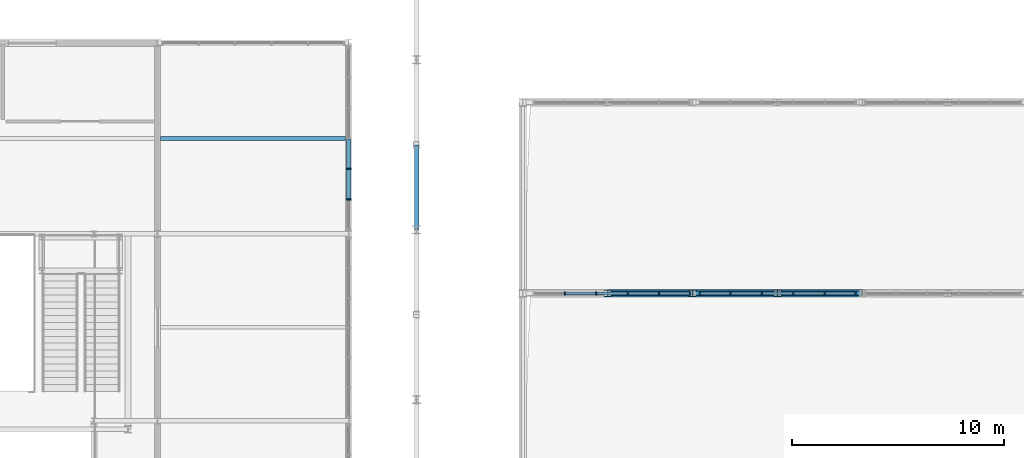
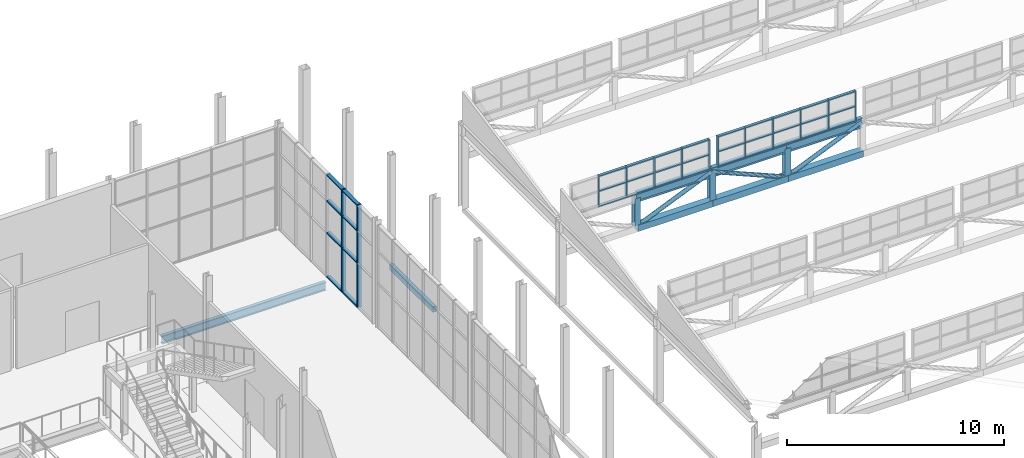
# One storey, part 83 of 159: 60 members, 2 beams, 3 elements without a shape of their own.
"""IFC4 building model written with IfcOpenShell, lengths in metres."""

from ifc_helpers import new_model, si_unit, direction, frame, origin, origin_2d, place, context, subcontext, project, spatial, rectangle, hollow_rectangle, hollow_circle, i_section, extrude, material, layer, layer_set, material_profile, profile_set, type_object, element, aggregate, save


model = new_model("IFC4")

# Units and contexts
model_context = context("Model", 3, precision=1e-05, world=origin(), true_north=direction((0.0, 1.0)))
body_context = subcontext(model_context, "Body", "Model", "MODEL_VIEW")
ifc_project = project(units=[si_unit("LENGTHUNIT", "METRE"), si_unit("AREAUNIT", "SQUARE_METRE"), si_unit("VOLUMEUNIT", "CUBIC_METRE"), si_unit("PLANEANGLEUNIT", "RADIAN"), si_unit("MASSUNIT", "GRAM", prefix="KILO")], contexts=[model_context])

# Site, building, storey
site_placement = place(None, origin())
site = spatial("IfcSite", under=ifc_project, at=site_placement, CompositionType="ELEMENT")
building_placement = place(site_placement, origin())
building = spatial("IfcBuilding", under=site, at=building_placement, Name="Cazmaro Siding Exhibition Halls", CompositionType="ELEMENT")
storey_placement = place(building_placement, frame((0.0, 0.0, 6.0)))
storey = spatial("IfcBuildingStorey", under=building, at=storey_placement, Name="L01", CompositionType="ELEMENT", Elevation=6.0)

# Curtain wall, members
ifc_material_1 = material(Name="Anodized Bronze Aluminum and Solar-Control Low-E Glazing", Category="aluminium")
ifc_layer_1 = layer(ifc_material_1, 0.219970703125)
ifc_layer_set_1 = layer_set([ifc_layer_1], Name="Anodized Bronze Aluminum and Solar-Control Low-E Glazing")
curtain_wall_type_1 = type_object("IfcCurtainWallType", Name="CWS-03", PredefinedType="USERDEFINED", material=ifc_layer_set_1)
curtain_wall_1_placement = place(storey_placement, origin())
curtain_wall_1 = element("IfcCurtainWall", 1, at=curtain_wall_1_placement, inside=storey, type_object=curtain_wall_type_1, Name="Glazed Curtain Wall CWS-03 CW-078", ObjectType="GLAZED CURTAIN WALL", PredefinedType="USERDEFINED")
ifc_material_2 = material(Name="Anodized Bronze Extruded Aluminum", Category="aluminium")
ifc_material_profile_1 = material_profile(ifc_material_2, rectangle(XDim=0.219970703125, YDim=0.070068359375, at=origin_2d()), Name="CWM-03")
ifc_profile_set_1 = profile_set([ifc_material_profile_1], Name="Anodized Bronze Extruded Aluminum")
member_type_1 = type_object("IfcMemberType", Name="CWM-03", PredefinedType="MULLION", material=ifc_profile_set_1)
member_1_placement = place(storey_placement, frame((167.800048828125, 113.431884765625, 0.0), z_axis=(0.0, 0.0, 1.0), x_axis=(-1.0, 0.0, 0.0)))
member_1 = element("IfcMember", 2, at=member_1_placement, type_object=member_type_1, Name="CWS-03 mullion 2", PredefinedType="MULLION", context=body_context, shape_type="SweptSolid", body=[
    extrude(rectangle(XDim=0.219970703125, YDim=0.070068359375, at=origin_2d()), origin(), (0.0, 0.0, 1.0), 5.780029296875),
])
member_2_placement = place(storey_placement, frame((167.800048828125, 114.865966796875, 0.0), z_axis=(0.0, 0.0, 1.0), x_axis=(-1.0, 0.0, 0.0)))
member_2 = element("IfcMember", 3, at=member_2_placement, type_object=member_type_1, Name="CWS-03 mullion 3", PredefinedType="MULLION", context=body_context, shape_type="SweptSolid", body=[
    extrude(rectangle(XDim=0.219970703125, YDim=0.070068359375, at=origin_2d()), origin(), (0.0, 0.0, 1.0), 5.780029296875),
])

ifc_material_3 = material(Name="Anodized Bronze Aluminum and Solar-Control Low-E Glazing", Category="aluminium")
ifc_layer_2 = layer(ifc_material_3, 0.159912109375)
ifc_layer_set_2 = layer_set([ifc_layer_2], Name="Anodized Bronze Aluminum and Solar-Control Low-E Glazing")
curtain_wall_type_2 = type_object("IfcCurtainWallType", Name="CWS-04", PredefinedType="USERDEFINED", material=ifc_layer_set_2)
curtain_wall_2_placement = place(storey_placement, origin())
curtain_wall_2 = element("IfcCurtainWall", 4, at=curtain_wall_2_placement, inside=storey, type_object=curtain_wall_type_2, Name="Clerestory Curtain Wall CWS-04 CW-130", ObjectType="CLERESTORY CURTAIN WALL", PredefinedType="USERDEFINED")
ifc_material_4 = material(Name="Anodized Bronze Extruded Aluminum", Category="aluminium")
ifc_material_profile_2 = material_profile(ifc_material_4, rectangle(XDim=0.159912109375, YDim=0.06005859375, at=origin_2d()), Name="CWM-04")
ifc_profile_set_2 = profile_set([ifc_material_profile_2], Name="Anodized Bronze Extruded Aluminum")
member_type_2 = type_object("IfcMemberType", Name="CWM-04", PredefinedType="MULLION", material=ifc_profile_set_2)
member_3_placement = place(storey_placement, frame((183.8701171875, 109.0, 4.800048828125), z_axis=(0.0, 0.0, 1.0), x_axis=(0.0, -1.0, 0.0)))
member_3 = element("IfcMember", 5, at=member_3_placement, type_object=member_type_2, Name="CWS-04 mullion 1", PredefinedType="MULLION", context=body_context, shape_type="SweptSolid", body=[
    extrude(rectangle(XDim=0.159912109375, YDim=0.06005859375, at=origin_2d()), origin(), (0.0, 0.0, 1.0), 1.75),
])
member_4_placement = place(storey_placement, frame((182.419921875, 109.0, 4.800048828125), z_axis=(0.0, 0.0, 1.0), x_axis=(0.0, -1.0, 0.0)))
member_4 = element("IfcMember", 6, at=member_4_placement, type_object=member_type_2, Name="CWS-04 mullion 2", PredefinedType="MULLION", context=body_context, shape_type="SweptSolid", body=[
    extrude(rectangle(XDim=0.159912109375, YDim=0.06005859375, at=origin_2d()), origin(), (0.0, 0.0, 1.0), 1.75),
])
member_5_placement = place(storey_placement, frame((180.93994140625, 109.0, 4.800048828125), z_axis=(0.0, 0.0, 1.0), x_axis=(0.0, -1.0, 0.0)))
member_5 = element("IfcMember", 7, at=member_5_placement, type_object=member_type_2, Name="CWS-04 mullion 3", PredefinedType="MULLION", context=body_context, shape_type="SweptSolid", body=[
    extrude(rectangle(XDim=0.159912109375, YDim=0.06005859375, at=origin_2d()), origin(), (0.0, 0.0, 1.0), 1.75),
])
member_6_placement = place(storey_placement, frame((179.4599609375, 109.0, 4.800048828125), z_axis=(0.0, 0.0, 1.0), x_axis=(0.0, -1.0, 0.0)))
member_6 = element("IfcMember", 8, at=member_6_placement, type_object=member_type_2, Name="CWS-04 mullion 4", PredefinedType="MULLION", context=body_context, shape_type="SweptSolid", body=[
    extrude(rectangle(XDim=0.159912109375, YDim=0.06005859375, at=origin_2d()), origin(), (0.0, 0.0, 1.0), 1.75),
])
member_7_placement = place(storey_placement, frame((177.97998046875, 109.0, 4.800048828125), z_axis=(0.0, 0.0, 1.0), x_axis=(0.0, -1.0, 0.0)))
member_7 = element("IfcMember", 9, at=member_7_placement, type_object=member_type_2, Name="CWS-04 mullion 5", PredefinedType="MULLION", context=body_context, shape_type="SweptSolid", body=[
    extrude(rectangle(XDim=0.159912109375, YDim=0.06005859375, at=origin_2d()), origin(), (0.0, 0.0, 1.0), 1.75),
])

curtain_wall_3_placement = place(storey_placement, origin())
curtain_wall_3 = element("IfcCurtainWall", 10, at=curtain_wall_3_placement, inside=storey, type_object=curtain_wall_type_2, Name="Clerestory Curtain Wall CWS-04 CW-131", ObjectType="CLERESTORY CURTAIN WALL", PredefinedType="USERDEFINED")
member_8_placement = place(storey_placement, frame((191.669921875, 109.0, 4.800048828125), z_axis=(0.0, 0.0, 1.0), x_axis=(0.0, -1.0, 0.0)))
member_8 = element("IfcMember", 11, at=member_8_placement, type_object=member_type_2, Name="CWS-04 mullion 1", PredefinedType="MULLION", context=body_context, shape_type="SweptSolid", body=[
    extrude(rectangle(XDim=0.159912109375, YDim=0.06005859375, at=origin_2d()), origin(), (0.0, 0.0, 1.0), 1.75),
])
member_9_placement = place(storey_placement, frame((190.219970703125, 109.0, 4.800048828125), z_axis=(0.0, 0.0, 1.0), x_axis=(0.0, -1.0, 0.0)))
member_9 = element("IfcMember", 12, at=member_9_placement, type_object=member_type_2, Name="CWS-04 mullion 2", PredefinedType="MULLION", context=body_context, shape_type="SweptSolid", body=[
    extrude(rectangle(XDim=0.159912109375, YDim=0.06005859375, at=origin_2d()), origin(), (0.0, 0.0, 1.0), 1.75),
])
member_10_placement = place(storey_placement, frame((188.739990234375, 109.0, 4.800048828125), z_axis=(0.0, 0.0, 1.0), x_axis=(0.0, -1.0, 0.0)))
member_10 = element("IfcMember", 13, at=member_10_placement, type_object=member_type_2, Name="CWS-04 mullion 3", PredefinedType="MULLION", context=body_context, shape_type="SweptSolid", body=[
    extrude(rectangle(XDim=0.159912109375, YDim=0.06005859375, at=origin_2d()), origin(), (0.0, 0.0, 1.0), 1.75),
])
member_11_placement = place(storey_placement, frame((187.260009765625, 109.0, 4.800048828125), z_axis=(0.0, 0.0, 1.0), x_axis=(0.0, -1.0, 0.0)))
member_11 = element("IfcMember", 14, at=member_11_placement, type_object=member_type_2, Name="CWS-04 mullion 4", PredefinedType="MULLION", context=body_context, shape_type="SweptSolid", body=[
    extrude(rectangle(XDim=0.159912109375, YDim=0.06005859375, at=origin_2d()), origin(), (0.0, 0.0, 1.0), 1.75),
])
member_12_placement = place(storey_placement, frame((185.780029296875, 109.0, 4.800048828125), z_axis=(0.0, 0.0, 1.0), x_axis=(0.0, -1.0, 0.0)))
member_12 = element("IfcMember", 15, at=member_12_placement, type_object=member_type_2, Name="CWS-04 mullion 5", PredefinedType="MULLION", context=body_context, shape_type="SweptSolid", body=[
    extrude(rectangle(XDim=0.159912109375, YDim=0.06005859375, at=origin_2d()), origin(), (0.0, 0.0, 1.0), 1.75),
])
member_13_placement = place(storey_placement, frame((184.330078125, 109.0, 4.800048828125), z_axis=(0.0, 0.0, 1.0), x_axis=(0.0, -1.0, 0.0)))
member_13 = element("IfcMember", 16, at=member_13_placement, type_object=member_type_2, Name="CWS-04 mullion 6", PredefinedType="MULLION", context=body_context, shape_type="SweptSolid", body=[
    extrude(rectangle(XDim=0.159912109375, YDim=0.06005859375, at=origin_2d()), origin(), (0.0, 0.0, 1.0), 1.75),
])

# Member
ifc_material_5 = material(Name="Anodized Bronze Extruded Aluminum", Category="aluminium")
ifc_material_profile_3 = material_profile(ifc_material_5, rectangle(XDim=0.199951171875, YDim=0.070068359375, at=origin_2d()), Name="CWT-03")
ifc_profile_set_3 = profile_set([ifc_material_profile_3], Name="Anodized Bronze Extruded Aluminum")
member_type_3 = type_object("IfcMemberType", Name="CWT-03", PredefinedType="MULLION", material=ifc_profile_set_3)
member_14_placement = place(storey_placement, frame((167.800048828125, 113.467041015625, 0.034912109375), z_axis=(0.0, 1.0, 0.0), x_axis=(-1.0, 0.0, 0.0)))
member_14 = element("IfcMember", 17, at=member_14_placement, type_object=member_type_3, Name="CWS-03 transom 2.1", ObjectType="TRANSOM", PredefinedType="USERDEFINED", context=body_context, shape_type="SweptSolid", body=[
    extrude(rectangle(XDim=0.199951171875, YDim=0.070068359375, at=origin_2d()), origin(), (0.0, 0.0, 1.0), 1.364013671875),
])

member_15_placement = place(storey_placement, frame((167.800048828125, 113.467041015625, 2.5), z_axis=(0.0, 1.0, 0.0), x_axis=(-1.0, 0.0, 0.0)))
member_15 = element("IfcMember", 18, at=member_15_placement, type_object=member_type_3, Name="CWS-03 transom 2.2", ObjectType="TRANSOM", PredefinedType="USERDEFINED", context=body_context, shape_type="SweptSolid", body=[
    extrude(rectangle(XDim=0.199951171875, YDim=0.070068359375, at=origin_2d()), origin(), (0.0, 0.0, 1.0), 1.364013671875),
])

member_16_placement = place(storey_placement, frame((167.800048828125, 113.467041015625, 4.300048828125), z_axis=(0.0, 1.0, 0.0), x_axis=(-1.0, 0.0, 0.0)))
member_16 = element("IfcMember", 19, at=member_16_placement, type_object=member_type_3, Name="CWS-03 transom 2.3", ObjectType="TRANSOM", PredefinedType="USERDEFINED", context=body_context, shape_type="SweptSolid", body=[
    extrude(rectangle(XDim=0.199951171875, YDim=0.070068359375, at=origin_2d()), origin(), (0.0, 0.0, 1.0), 1.364013671875),
])

member_17_placement = place(storey_placement, frame((167.800048828125, 113.467041015625, 5.7451171875), z_axis=(0.0, 1.0, 0.0), x_axis=(-1.0, 0.0, 0.0)))
member_17 = element("IfcMember", 20, at=member_17_placement, type_object=member_type_3, Name="CWS-03 transom 2.4", ObjectType="TRANSOM", PredefinedType="USERDEFINED", context=body_context, shape_type="SweptSolid", body=[
    extrude(rectangle(XDim=0.199951171875, YDim=0.070068359375, at=origin_2d()), origin(), (0.0, 0.0, 1.0), 1.364013671875),
])

member_18_placement = place(storey_placement, frame((167.800048828125, 114.90087890625, 0.034912109375), z_axis=(0.0, 1.0, 0.0), x_axis=(-1.0, 0.0, 0.0)))
member_18 = element("IfcMember", 21, at=member_18_placement, type_object=member_type_3, Name="CWS-03 transom 3.1", ObjectType="TRANSOM", PredefinedType="USERDEFINED", context=body_context, shape_type="SweptSolid", body=[
    extrude(rectangle(XDim=0.199951171875, YDim=0.070068359375, at=origin_2d()), origin(), (0.0, 0.0, 1.0), 1.364013671875),
])

member_19_placement = place(storey_placement, frame((167.800048828125, 114.90087890625, 2.5), z_axis=(0.0, 1.0, 0.0), x_axis=(-1.0, 0.0, 0.0)))
member_19 = element("IfcMember", 22, at=member_19_placement, type_object=member_type_3, Name="CWS-03 transom 3.2", ObjectType="TRANSOM", PredefinedType="USERDEFINED", context=body_context, shape_type="SweptSolid", body=[
    extrude(rectangle(XDim=0.199951171875, YDim=0.070068359375, at=origin_2d()), origin(), (0.0, 0.0, 1.0), 1.364013671875),
])

member_20_placement = place(storey_placement, frame((167.800048828125, 114.90087890625, 4.300048828125), z_axis=(0.0, 1.0, 0.0), x_axis=(-1.0, 0.0, 0.0)))
member_20 = element("IfcMember", 23, at=member_20_placement, type_object=member_type_3, Name="CWS-03 transom 3.3", ObjectType="TRANSOM", PredefinedType="USERDEFINED", context=body_context, shape_type="SweptSolid", body=[
    extrude(rectangle(XDim=0.199951171875, YDim=0.070068359375, at=origin_2d()), origin(), (0.0, 0.0, 1.0), 1.364013671875),
])

member_21_placement = place(storey_placement, frame((167.800048828125, 114.90087890625, 5.7451171875), z_axis=(0.0, 1.0, 0.0), x_axis=(-1.0, 0.0, 0.0)))
member_21 = element("IfcMember", 24, at=member_21_placement, type_object=member_type_3, Name="CWS-03 transom 3.4", ObjectType="TRANSOM", PredefinedType="USERDEFINED", context=body_context, shape_type="SweptSolid", body=[
    extrude(rectangle(XDim=0.199951171875, YDim=0.070068359375, at=origin_2d()), origin(), (0.0, 0.0, 1.0), 1.364013671875),
])

aggregate(curtain_wall_1, [member_1, member_2, member_14, member_15, member_16, member_17, member_18, member_19, member_20, member_21])

ifc_material_6 = material(Name="Anodized Bronze Extruded Aluminum", Category="aluminium")
ifc_material_profile_4 = material_profile(ifc_material_6, rectangle(XDim=0.139892578125, YDim=0.06005859375, at=origin_2d()), Name="CWT-04")
ifc_profile_set_4 = profile_set([ifc_material_profile_4], Name="Anodized Bronze Extruded Aluminum")
member_type_4 = type_object("IfcMemberType", Name="CWT-04", PredefinedType="MULLION", material=ifc_profile_set_4)
member_22_placement = place(storey_placement, frame((183.840087890625, 109.0, 4.830078125), z_axis=(-1.0, 0.0, 0.0), x_axis=(0.0, -1.0, 0.0)))
member_22 = element("IfcMember", 25, at=member_22_placement, type_object=member_type_4, Name="CWS-04 transom 1.1", ObjectType="TRANSOM", PredefinedType="USERDEFINED", context=body_context, shape_type="SweptSolid", body=[
    extrude(rectangle(XDim=0.139892578125, YDim=0.06005859375, at=origin_2d()), origin(), (0.0, 0.0, 1.0), 1.39013671875),
])

member_23_placement = place(storey_placement, frame((183.840087890625, 109.0, 5.679931640625), z_axis=(-1.0, 0.0, 0.0), x_axis=(0.0, -1.0, 0.0)))
member_23 = element("IfcMember", 26, at=member_23_placement, type_object=member_type_4, Name="CWS-04 transom 1.2", ObjectType="TRANSOM", PredefinedType="USERDEFINED", context=body_context, shape_type="SweptSolid", body=[
    extrude(rectangle(XDim=0.139892578125, YDim=0.06005859375, at=origin_2d()), origin(), (0.0, 0.0, 1.0), 1.39013671875),
])

member_24_placement = place(storey_placement, frame((183.840087890625, 109.0, 6.52001953125), z_axis=(-1.0, 0.0, 0.0), x_axis=(0.0, -1.0, 0.0)))
member_24 = element("IfcMember", 27, at=member_24_placement, type_object=member_type_4, Name="CWS-04 transom 1.3", ObjectType="TRANSOM", PredefinedType="USERDEFINED", context=body_context, shape_type="SweptSolid", body=[
    extrude(rectangle(XDim=0.139892578125, YDim=0.06005859375, at=origin_2d()), origin(), (0.0, 0.0, 1.0), 1.39013671875),
])

member_25_placement = place(storey_placement, frame((182.389892578125, 109.0, 4.830078125), z_axis=(-1.0, 0.0, 0.0), x_axis=(0.0, -1.0, 0.0)))
member_25 = element("IfcMember", 28, at=member_25_placement, type_object=member_type_4, Name="CWS-04 transom 2.1", ObjectType="TRANSOM", PredefinedType="USERDEFINED", context=body_context, shape_type="SweptSolid", body=[
    extrude(rectangle(XDim=0.139892578125, YDim=0.06005859375, at=origin_2d()), origin(), (0.0, 0.0, 1.0), 1.419921875),
])

member_26_placement = place(storey_placement, frame((182.389892578125, 109.0, 5.679931640625), z_axis=(-1.0, 0.0, 0.0), x_axis=(0.0, -1.0, 0.0)))
member_26 = element("IfcMember", 29, at=member_26_placement, type_object=member_type_4, Name="CWS-04 transom 2.2", ObjectType="TRANSOM", PredefinedType="USERDEFINED", context=body_context, shape_type="SweptSolid", body=[
    extrude(rectangle(XDim=0.139892578125, YDim=0.06005859375, at=origin_2d()), origin(), (0.0, 0.0, 1.0), 1.419921875),
])

member_27_placement = place(storey_placement, frame((182.389892578125, 109.0, 6.52001953125), z_axis=(-1.0, 0.0, 0.0), x_axis=(0.0, -1.0, 0.0)))
member_27 = element("IfcMember", 30, at=member_27_placement, type_object=member_type_4, Name="CWS-04 transom 2.3", ObjectType="TRANSOM", PredefinedType="USERDEFINED", context=body_context, shape_type="SweptSolid", body=[
    extrude(rectangle(XDim=0.139892578125, YDim=0.06005859375, at=origin_2d()), origin(), (0.0, 0.0, 1.0), 1.419921875),
])

member_28_placement = place(storey_placement, frame((180.909912109375, 109.0, 4.830078125), z_axis=(-1.0, 0.0, 0.0), x_axis=(0.0, -1.0, 0.0)))
member_28 = element("IfcMember", 31, at=member_28_placement, type_object=member_type_4, Name="CWS-04 transom 3.1", ObjectType="TRANSOM", PredefinedType="USERDEFINED", context=body_context, shape_type="SweptSolid", body=[
    extrude(rectangle(XDim=0.139892578125, YDim=0.06005859375, at=origin_2d()), origin(), (0.0, 0.0, 1.0), 1.419921875),
])

member_29_placement = place(storey_placement, frame((180.909912109375, 109.0, 5.679931640625), z_axis=(-1.0, 0.0, 0.0), x_axis=(0.0, -1.0, 0.0)))
member_29 = element("IfcMember", 32, at=member_29_placement, type_object=member_type_4, Name="CWS-04 transom 3.2", ObjectType="TRANSOM", PredefinedType="USERDEFINED", context=body_context, shape_type="SweptSolid", body=[
    extrude(rectangle(XDim=0.139892578125, YDim=0.06005859375, at=origin_2d()), origin(), (0.0, 0.0, 1.0), 1.419921875),
])

member_30_placement = place(storey_placement, frame((180.909912109375, 109.0, 6.52001953125), z_axis=(-1.0, 0.0, 0.0), x_axis=(0.0, -1.0, 0.0)))
member_30 = element("IfcMember", 33, at=member_30_placement, type_object=member_type_4, Name="CWS-04 transom 3.3", ObjectType="TRANSOM", PredefinedType="USERDEFINED", context=body_context, shape_type="SweptSolid", body=[
    extrude(rectangle(XDim=0.139892578125, YDim=0.06005859375, at=origin_2d()), origin(), (0.0, 0.0, 1.0), 1.419921875),
])

member_31_placement = place(storey_placement, frame((179.429931640625, 109.0, 4.830078125), z_axis=(-1.0, 0.0, 0.0), x_axis=(0.0, -1.0, 0.0)))
member_31 = element("IfcMember", 34, at=member_31_placement, type_object=member_type_4, Name="CWS-04 transom 4.1", ObjectType="TRANSOM", PredefinedType="USERDEFINED", context=body_context, shape_type="SweptSolid", body=[
    extrude(rectangle(XDim=0.139892578125, YDim=0.06005859375, at=origin_2d()), origin(), (0.0, 0.0, 1.0), 1.419921875),
])

member_32_placement = place(storey_placement, frame((179.429931640625, 109.0, 5.679931640625), z_axis=(-1.0, 0.0, 0.0), x_axis=(0.0, -1.0, 0.0)))
member_32 = element("IfcMember", 35, at=member_32_placement, type_object=member_type_4, Name="CWS-04 transom 4.2", ObjectType="TRANSOM", PredefinedType="USERDEFINED", context=body_context, shape_type="SweptSolid", body=[
    extrude(rectangle(XDim=0.139892578125, YDim=0.06005859375, at=origin_2d()), origin(), (0.0, 0.0, 1.0), 1.419921875),
])

member_33_placement = place(storey_placement, frame((179.429931640625, 109.0, 6.52001953125), z_axis=(-1.0, 0.0, 0.0), x_axis=(0.0, -1.0, 0.0)))
member_33 = element("IfcMember", 36, at=member_33_placement, type_object=member_type_4, Name="CWS-04 transom 4.3", ObjectType="TRANSOM", PredefinedType="USERDEFINED", context=body_context, shape_type="SweptSolid", body=[
    extrude(rectangle(XDim=0.139892578125, YDim=0.06005859375, at=origin_2d()), origin(), (0.0, 0.0, 1.0), 1.419921875),
])

aggregate(curtain_wall_2, [member_3, member_4, member_5, member_6, member_7, member_22, member_23, member_24, member_25, member_26, member_27, member_28, member_29, member_30, member_31, member_32, member_33])

member_34_placement = place(storey_placement, frame((191.639892578125, 109.0, 4.830078125), z_axis=(-1.0, 0.0, 0.0), x_axis=(0.0, -1.0, 0.0)))
member_34 = element("IfcMember", 37, at=member_34_placement, type_object=member_type_4, Name="CWS-04 transom 1.1", ObjectType="TRANSOM", PredefinedType="USERDEFINED", context=body_context, shape_type="SweptSolid", body=[
    extrude(rectangle(XDim=0.139892578125, YDim=0.06005859375, at=origin_2d()), origin(), (0.0, 0.0, 1.0), 1.389892578125),
])

member_35_placement = place(storey_placement, frame((191.639892578125, 109.0, 5.679931640625), z_axis=(-1.0, 0.0, 0.0), x_axis=(0.0, -1.0, 0.0)))
member_35 = element("IfcMember", 38, at=member_35_placement, type_object=member_type_4, Name="CWS-04 transom 1.2", ObjectType="TRANSOM", PredefinedType="USERDEFINED", context=body_context, shape_type="SweptSolid", body=[
    extrude(rectangle(XDim=0.139892578125, YDim=0.06005859375, at=origin_2d()), origin(), (0.0, 0.0, 1.0), 1.389892578125),
])

member_36_placement = place(storey_placement, frame((191.639892578125, 109.0, 6.52001953125), z_axis=(-1.0, 0.0, 0.0), x_axis=(0.0, -1.0, 0.0)))
member_36 = element("IfcMember", 39, at=member_36_placement, type_object=member_type_4, Name="CWS-04 transom 1.3", ObjectType="TRANSOM", PredefinedType="USERDEFINED", context=body_context, shape_type="SweptSolid", body=[
    extrude(rectangle(XDim=0.139892578125, YDim=0.06005859375, at=origin_2d()), origin(), (0.0, 0.0, 1.0), 1.389892578125),
])

member_37_placement = place(storey_placement, frame((190.18994140625, 109.0, 4.830078125), z_axis=(-1.0, 0.0, 0.0), x_axis=(0.0, -1.0, 0.0)))
member_37 = element("IfcMember", 40, at=member_37_placement, type_object=member_type_4, Name="CWS-04 transom 2.1", ObjectType="TRANSOM", PredefinedType="USERDEFINED", context=body_context, shape_type="SweptSolid", body=[
    extrude(rectangle(XDim=0.139892578125, YDim=0.06005859375, at=origin_2d()), origin(), (0.0, 0.0, 1.0), 1.419921875),
])

member_38_placement = place(storey_placement, frame((190.18994140625, 109.0, 5.679931640625), z_axis=(-1.0, 0.0, 0.0), x_axis=(0.0, -1.0, 0.0)))
member_38 = element("IfcMember", 41, at=member_38_placement, type_object=member_type_4, Name="CWS-04 transom 2.2", ObjectType="TRANSOM", PredefinedType="USERDEFINED", context=body_context, shape_type="SweptSolid", body=[
    extrude(rectangle(XDim=0.139892578125, YDim=0.06005859375, at=origin_2d()), origin(), (0.0, 0.0, 1.0), 1.419921875),
])

member_39_placement = place(storey_placement, frame((190.18994140625, 109.0, 6.52001953125), z_axis=(-1.0, 0.0, 0.0), x_axis=(0.0, -1.0, 0.0)))
member_39 = element("IfcMember", 42, at=member_39_placement, type_object=member_type_4, Name="CWS-04 transom 2.3", ObjectType="TRANSOM", PredefinedType="USERDEFINED", context=body_context, shape_type="SweptSolid", body=[
    extrude(rectangle(XDim=0.139892578125, YDim=0.06005859375, at=origin_2d()), origin(), (0.0, 0.0, 1.0), 1.419921875),
])

member_40_placement = place(storey_placement, frame((188.7099609375, 109.0, 4.830078125), z_axis=(-1.0, 0.0, 0.0), x_axis=(0.0, -1.0, 0.0)))
member_40 = element("IfcMember", 43, at=member_40_placement, type_object=member_type_4, Name="CWS-04 transom 3.1", ObjectType="TRANSOM", PredefinedType="USERDEFINED", context=body_context, shape_type="SweptSolid", body=[
    extrude(rectangle(XDim=0.139892578125, YDim=0.06005859375, at=origin_2d()), origin(), (0.0, 0.0, 1.0), 1.419921875),
])

member_41_placement = place(storey_placement, frame((188.7099609375, 109.0, 5.679931640625), z_axis=(-1.0, 0.0, 0.0), x_axis=(0.0, -1.0, 0.0)))
member_41 = element("IfcMember", 44, at=member_41_placement, type_object=member_type_4, Name="CWS-04 transom 3.2", ObjectType="TRANSOM", PredefinedType="USERDEFINED", context=body_context, shape_type="SweptSolid", body=[
    extrude(rectangle(XDim=0.139892578125, YDim=0.06005859375, at=origin_2d()), origin(), (0.0, 0.0, 1.0), 1.419921875),
])

member_42_placement = place(storey_placement, frame((188.7099609375, 109.0, 6.52001953125), z_axis=(-1.0, 0.0, 0.0), x_axis=(0.0, -1.0, 0.0)))
member_42 = element("IfcMember", 45, at=member_42_placement, type_object=member_type_4, Name="CWS-04 transom 3.3", ObjectType="TRANSOM", PredefinedType="USERDEFINED", context=body_context, shape_type="SweptSolid", body=[
    extrude(rectangle(XDim=0.139892578125, YDim=0.06005859375, at=origin_2d()), origin(), (0.0, 0.0, 1.0), 1.419921875),
])

member_43_placement = place(storey_placement, frame((187.22998046875, 109.0, 4.830078125), z_axis=(-1.0, 0.0, 0.0), x_axis=(0.0, -1.0, 0.0)))
member_43 = element("IfcMember", 46, at=member_43_placement, type_object=member_type_4, Name="CWS-04 transom 4.1", ObjectType="TRANSOM", PredefinedType="USERDEFINED", context=body_context, shape_type="SweptSolid", body=[
    extrude(rectangle(XDim=0.139892578125, YDim=0.06005859375, at=origin_2d()), origin(), (0.0, 0.0, 1.0), 1.419921875),
])

member_44_placement = place(storey_placement, frame((187.22998046875, 109.0, 5.679931640625), z_axis=(-1.0, 0.0, 0.0), x_axis=(0.0, -1.0, 0.0)))
member_44 = element("IfcMember", 47, at=member_44_placement, type_object=member_type_4, Name="CWS-04 transom 4.2", ObjectType="TRANSOM", PredefinedType="USERDEFINED", context=body_context, shape_type="SweptSolid", body=[
    extrude(rectangle(XDim=0.139892578125, YDim=0.06005859375, at=origin_2d()), origin(), (0.0, 0.0, 1.0), 1.419921875),
])

member_45_placement = place(storey_placement, frame((187.22998046875, 109.0, 6.52001953125), z_axis=(-1.0, 0.0, 0.0), x_axis=(0.0, -1.0, 0.0)))
member_45 = element("IfcMember", 48, at=member_45_placement, type_object=member_type_4, Name="CWS-04 transom 4.3", ObjectType="TRANSOM", PredefinedType="USERDEFINED", context=body_context, shape_type="SweptSolid", body=[
    extrude(rectangle(XDim=0.139892578125, YDim=0.06005859375, at=origin_2d()), origin(), (0.0, 0.0, 1.0), 1.419921875),
])

member_46_placement = place(storey_placement, frame((185.75, 109.0, 4.830078125), z_axis=(-1.0, 0.0, 0.0), x_axis=(0.0, -1.0, 0.0)))
member_46 = element("IfcMember", 49, at=member_46_placement, type_object=member_type_4, Name="CWS-04 transom 5.1", ObjectType="TRANSOM", PredefinedType="USERDEFINED", context=body_context, shape_type="SweptSolid", body=[
    extrude(rectangle(XDim=0.139892578125, YDim=0.06005859375, at=origin_2d()), origin(), (0.0, 0.0, 1.0), 1.389892578125),
])

member_47_placement = place(storey_placement, frame((185.75, 109.0, 5.679931640625), z_axis=(-1.0, 0.0, 0.0), x_axis=(0.0, -1.0, 0.0)))
member_47 = element("IfcMember", 50, at=member_47_placement, type_object=member_type_4, Name="CWS-04 transom 5.2", ObjectType="TRANSOM", PredefinedType="USERDEFINED", context=body_context, shape_type="SweptSolid", body=[
    extrude(rectangle(XDim=0.139892578125, YDim=0.06005859375, at=origin_2d()), origin(), (0.0, 0.0, 1.0), 1.389892578125),
])

member_48_placement = place(storey_placement, frame((185.75, 109.0, 6.52001953125), z_axis=(-1.0, 0.0, 0.0), x_axis=(0.0, -1.0, 0.0)))
member_48 = element("IfcMember", 51, at=member_48_placement, type_object=member_type_4, Name="CWS-04 transom 5.3", ObjectType="TRANSOM", PredefinedType="USERDEFINED", context=body_context, shape_type="SweptSolid", body=[
    extrude(rectangle(XDim=0.139892578125, YDim=0.06005859375, at=origin_2d()), origin(), (0.0, 0.0, 1.0), 1.389892578125),
])

aggregate(curtain_wall_3, [member_8, member_9, member_10, member_11, member_12, member_13, member_34, member_35, member_36, member_37, member_38, member_39, member_40, member_41, member_42, member_43, member_44, member_45, member_46, member_47, member_48])

# Beams
ifc_material_7 = material(Name="Steel ASTM A992 Grade 50", Category="steel")
ifc_material_profile_5 = material_profile(ifc_material_7, i_section(OverallWidth=0.19091796875, OverallDepth=0.45703125, WebThickness=0.009033203125, FlangeThickness=0.013916015625, at=origin_2d()), Name="W18X50")
ifc_profile_set_5 = profile_set([ifc_material_profile_5], Name="Steel ASTM A992 Grade 50")
beam_type_1 = type_object("IfcBeamType", Name="J-01", PredefinedType="JOIST", material=ifc_profile_set_5)
beam_1_placement = place(storey_placement, frame((158.93994140625, 116.300048828125, -0.448974609375), z_axis=(1.0, 0.0, 0.0), x_axis=(0.0, 1.0, 0.0)))
element("IfcBeam", 52, at=beam_1_placement, inside=storey, type_object=beam_type_1, Name="Beam J-01 BM-0299", PredefinedType="JOIST", context=body_context, shape_type="SweptSolid", body=[
    extrude(i_section(OverallWidth=0.19091796875, OverallDepth=0.45703125, WebThickness=0.009033203125, FlangeThickness=0.013916015625, at=origin_2d()), origin(), (0.0, 0.0, 1.0), 8.719970703125),
])
ifc_material_8 = material(Name="Steel ASTM A500 Grade C", Category="steel")
ifc_material_profile_6 = material_profile(ifc_material_8, hollow_rectangle(XDim=0.202880859375, YDim=0.304931640625, WallThickness=0.011962890625, at=origin_2d()), Name="HSS12X8X1/2")
ifc_profile_set_6 = profile_set([ifc_material_profile_6], Name="Steel ASTM A500 Grade C")
beam_type_2 = type_object("IfcBeamType", Name="SP-01", PredefinedType="SPANDREL", material=ifc_profile_set_6)
beam_2_placement = place(storey_placement, frame((171.0, 112.0, -0.3720703125), z_axis=(0.0, 1.0, 0.0), x_axis=(-1.0, 0.0, 0.0)))
element("IfcBeam", 53, at=beam_2_placement, inside=storey, type_object=beam_type_2, Name="Beam SP-01 BM-0055", PredefinedType="SPANDREL", context=body_context, shape_type="SweptSolid", body=[
    extrude(hollow_rectangle(XDim=0.202880859375, YDim=0.304931640625, WallThickness=0.011962890625, at=origin_2d()), origin(), (0.0, 0.0, 1.0), 4.0),
])

# Members
ifc_material_9 = material(Name="Steel ASTM A992 Grade 50", Category="steel")
ifc_material_profile_7 = material_profile(ifc_material_9, i_section(OverallWidth=0.214111328125, OverallDepth=0.549072265625, WebThickness=0.014892578125, FlangeThickness=0.02392578125, at=origin_2d()), Name="W21X93")
ifc_profile_set_7 = profile_set([ifc_material_profile_7], Name="Steel ASTM A992 Grade 50")
member_type_5 = type_object("IfcMemberType", Name="TC-04", PredefinedType="CHORD", material=ifc_profile_set_7)
for number, where, z_axis, x_axis, name in (
    (54, (180.0, 109.0, 4.64990234375), (1.0, 0.0, 0.0), (0.0, 1.0, 0.0), "Sawtooth truss top chord TC-04 MEM-3169"),
    (55, (184.0, 109.0, 4.64990234375), (1.0, 0.0, 0.0), (0.0, 1.0, 0.0), "Sawtooth truss top chord TC-04 MEM-3172"),
    (56, (188.0, 109.0, 4.64990234375), (1.0, 0.0, 0.0), (0.0, 1.0, 0.0), "Sawtooth truss top chord TC-04 MEM-3175"),
):
    element("IfcMember", number, at=place(storey_placement, frame(where, z_axis=z_axis, x_axis=x_axis)), inside=storey, type_object=member_type_5, Name=name, PredefinedType="CHORD", context=body_context, shape_type="SweptSolid", body=[
        extrude(i_section(OverallWidth=0.214111328125, OverallDepth=0.549072265625, WebThickness=0.014892578125, FlangeThickness=0.02392578125, at=origin_2d()), origin(), (0.0, 0.0, 1.0), 4.0),
    ])
ifc_material_10 = material(Name="Steel ASTM A500 Grade C", Category="steel")
ifc_material_profile_8 = material_profile(ifc_material_10, hollow_rectangle(XDim=0.35595703125, YDim=0.35595703125, WallThickness=0.014892578125, at=origin_2d()), Name="HSS14X14X5/8")
ifc_profile_set_8 = profile_set([ifc_material_profile_8], Name="Steel ASTM A500 Grade C")
member_type_6 = type_object("IfcMemberType", Name="TC-05", PredefinedType="CHORD", material=ifc_profile_set_8)
for number, where, z_axis, x_axis, name in (
    (57, (180.0, 109.0, 2.949951171875), (1.0, 0.0, 0.0), (0.0, 1.0, 0.0), "Sawtooth truss bottom chord TC-05 MEM-3170"),
    (58, (184.0, 109.0, 2.949951171875), (1.0, 0.0, 0.0), (0.0, 1.0, 0.0), "Sawtooth truss bottom chord TC-05 MEM-3173"),
    (59, (188.0, 109.0, 2.949951171875), (1.0, 0.0, 0.0), (0.0, 1.0, 0.0), "Sawtooth truss bottom chord TC-05 MEM-3176"),
):
    element("IfcMember", number, at=place(storey_placement, frame(where, z_axis=z_axis, x_axis=x_axis)), inside=storey, type_object=member_type_6, Name=name, PredefinedType="CHORD", context=body_context, shape_type="SweptSolid", body=[
        extrude(hollow_rectangle(XDim=0.35595703125, YDim=0.35595703125, WallThickness=0.014892578125, at=origin_2d()), origin(), (0.0, 0.0, 1.0), 4.0),
    ])
ifc_material_11 = material(Name="Steel ASTM A992 Grade 50", Category="steel")
ifc_material_profile_9 = material_profile(ifc_material_11, i_section(OverallWidth=0.304931640625, OverallDepth=0.306884765625, WebThickness=0.010009765625, FlangeThickness=0.014892578125, at=origin_2d()), Name="W12X65")
ifc_profile_set_9 = profile_set([ifc_material_profile_9], Name="Steel ASTM A992 Grade 50")
member_type_7 = type_object("IfcMemberType", Name="TP-03", PredefinedType="POST", material=ifc_profile_set_9)
for number, where, z_axis, x_axis, name in (
    (60, (180.0, 109.0, 2.949951171875), (0.0, 0.0, 1.0), (1.0, 0.0, 0.0), "Sawtooth truss post TP-03 MEM-3196"),
    (61, (184.0, 109.0, 2.949951171875), (0.0, 0.0, 1.0), (1.0, 0.0, 0.0), "Sawtooth truss post TP-03 MEM-3197"),
    (62, (188.0, 109.0, 2.949951171875), (0.0, 0.0, 1.0), (1.0, 0.0, 0.0), "Sawtooth truss post TP-03 MEM-3198"),
):
    element("IfcMember", number, at=place(storey_placement, frame(where, z_axis=z_axis, x_axis=x_axis)), inside=storey, type_object=member_type_7, Name=name, PredefinedType="POST", context=body_context, shape_type="SweptSolid", body=[
        extrude(i_section(OverallWidth=0.304931640625, OverallDepth=0.306884765625, WebThickness=0.010009765625, FlangeThickness=0.014892578125, at=origin_2d()), origin(), (0.0, 0.0, 1.0), 1.699951171875),
    ])
ifc_material_12 = material(Name="Steel ASTM A500 Grade C", Category="steel")
ifc_material_profile_10 = material_profile(ifc_material_12, hollow_circle(Radius=0.109619140625, WallThickness=0.012939453125, at=origin_2d()), Name="PIPE8XS")
ifc_profile_set_10 = profile_set([ifc_material_profile_10], Name="Steel ASTM A500 Grade C")
member_type_8 = type_object("IfcMemberType", Name="WB-01", PredefinedType="BRACE", material=ifc_profile_set_10)
for number, where, z_axis, x_axis, name in (
    (63, (180.0, 109.0, 2.949951171875), (0.920334962612, 0.0, 0.391131124553), (0.0, 1.0, 0.0), "Sawtooth truss diagonal WB-01 MEM-3171"),
    (64, (184.0, 109.0, 4.64990234375), (0.920334962612, 0.0, -0.391131124553), (0.0, 1.0, 0.0), "Sawtooth truss diagonal WB-01 MEM-3174"),
    (65, (188.0, 109.0, 2.949951171875), (0.920334962612, 0.0, 0.391131124553), (0.0, 1.0, 0.0), "Sawtooth truss diagonal WB-01 MEM-3177"),
):
    element("IfcMember", number, at=place(storey_placement, frame(where, z_axis=z_axis, x_axis=x_axis)), inside=storey, type_object=member_type_8, Name=name, PredefinedType="BRACE", context=body_context, shape_type="SweptSolid", body=[
        extrude(hollow_circle(Radius=0.109619140625, WallThickness=0.012939453125, at=origin_2d()), origin(), (0.0, 0.0, 1.0), 4.34619140625),
    ])

save(model, "model.ifc")
